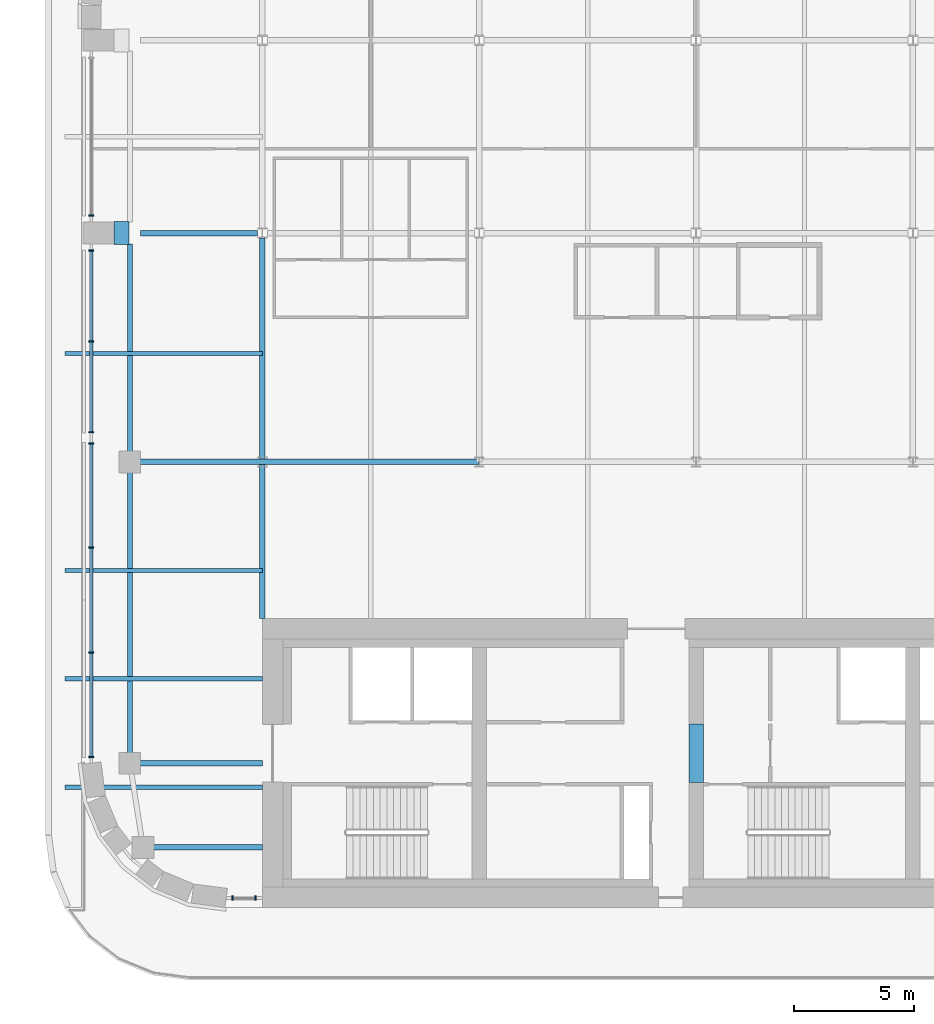
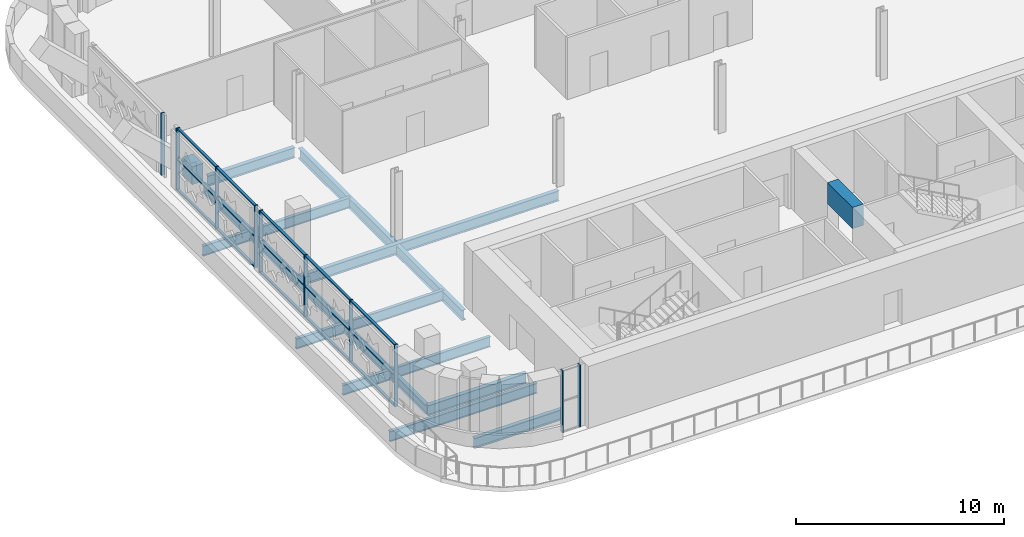
# One storey, part 3 of 23: 25 members, 13 beams, 4 elements without a shape of their own.
"""IFC4 building model written with IfcOpenShell, lengths in metres."""

from ifc_helpers import new_model, si_unit, direction, frame, origin, origin_2d, place, context, subcontext, project, spatial, rectangle, i_section, extrude, material, material_profile, profile_set, type_object, element, aggregate, save


model = new_model("IFC4")

# Units and contexts
model_context = context("Model", 3, precision=1e-05, world=origin(), true_north=direction((0.0, 1.0)))
body_context = subcontext(model_context, "Body", "Model", "MODEL_VIEW")
ifc_project = project(units=[si_unit("LENGTHUNIT", "METRE"), si_unit("AREAUNIT", "SQUARE_METRE"), si_unit("VOLUMEUNIT", "CUBIC_METRE"), si_unit("PLANEANGLEUNIT", "RADIAN"), si_unit("MASSUNIT", "GRAM", prefix="KILO")], contexts=[model_context])

# Site, building, storey
site_placement = place(None, origin())
site = spatial("IfcSite", under=ifc_project, at=site_placement, CompositionType="ELEMENT")
building_placement = place(site_placement, origin())
building = spatial("IfcBuilding", under=site, at=building_placement, Name="Zellij Exchange Tower", CompositionType="ELEMENT")
storey_placement = place(building_placement, frame((0.0, 0.0, 212.5)))
storey = spatial("IfcBuildingStorey", under=building, at=storey_placement, Name="L49", CompositionType="ELEMENT", Elevation=212.5)

# Beam
ifc_material_1 = material(Name="Concrete C60/75", Category="concrete")
ifc_material_profile_1 = material_profile(ifc_material_1, rectangle(XDim=0.60009765625, YDim=1.25, at=origin_2d()), Name="CORE-CB 600x1250 C60/75")
ifc_profile_set_1 = profile_set([ifc_material_profile_1], Name="Concrete C60/75")
beam_type_1 = type_object("IfcBeamType", Name="CORE-CB 600x1250 C60/75", PredefinedType="BEAM", material=ifc_profile_set_1)
beam_1_placement = place(storey_placement, frame((-9.0, -8.800048828125, 3.02490234375), z_axis=(0.0, 1.0, 0.0), x_axis=(-1.0, 0.0, 0.0)))
element("IfcBeam", 1, at=beam_1_placement, inside=storey, type_object=beam_type_1, Name="Core coupling beam x -9 L49", PredefinedType="BEAM", context=body_context, shape_type="SweptSolid", body=[
    extrude(rectangle(XDim=0.60009765625, YDim=1.25, at=origin_2d()), origin(), (0.0, 0.0, 1.0), 2.425048828125),
])

# Curtain wall, members
ifc_material_2 = material(Name="Aluminium frame, clear insulating glass", Category="aluminium")
curtain_wall_type = type_object("IfcCurtainWallType", Name="ENV-CW6 Sky-lobby glazing", PredefinedType="NOTDEFINED", material=ifc_material_2)
curtain_wall_1_placement = place(storey_placement, origin())
curtain_wall_1 = element("IfcCurtainWall", 2, at=curtain_wall_1_placement, inside=storey, type_object=curtain_wall_type, Name="cw.L49.00a", PredefinedType="NOTDEFINED")
ifc_material_3 = material(Name="Aluminium", Category="aluminium")
ifc_material_profile_2 = material_profile(ifc_material_3, rectangle(XDim=0.06005859375, YDim=0.199951171875, at=origin_2d()), Name="AL 60x200")
ifc_profile_set_2 = profile_set([ifc_material_profile_2], Name="Aluminium")
member_type_1 = type_object("IfcMemberType", Name="ENV-CW6M Mullion 60x200", PredefinedType="MULLION", material=ifc_profile_set_2)
member_1_placement = place(storey_placement, frame((-28.243896484375, -13.60009765625, 0.0), z_axis=(0.0, 0.0, 1.0), x_axis=(1.0, 0.0, 0.0)))
member_1 = element("IfcMember", 3, at=member_1_placement, type_object=member_type_1, Name="CW6 mullion 1", PredefinedType="MULLION", context=body_context, shape_type="SweptSolid", body=[
    extrude(rectangle(XDim=0.06005859375, YDim=0.199951171875, at=origin_2d()), origin(), (0.0, 0.0, 1.0), 3.64990234375),
])
member_2_placement = place(storey_placement, frame((-27.280029296875, -13.60009765625, 0.0), z_axis=(0.0, 0.0, 1.0), x_axis=(1.0, 0.0, 0.0)))
member_2 = element("IfcMember", 4, at=member_2_placement, type_object=member_type_1, Name="CW6 mullion 2", PredefinedType="MULLION", context=body_context, shape_type="SweptSolid", body=[
    extrude(rectangle(XDim=0.06005859375, YDim=0.199951171875, at=origin_2d()), origin(), (0.0, 0.0, 1.0), 3.64990234375),
])
aggregate(curtain_wall_1, [member_1, member_2])

# Curtain wall, member
curtain_wall_2_placement = place(storey_placement, origin())
curtain_wall_2 = element("IfcCurtainWall", 5, at=curtain_wall_2_placement, inside=storey, type_object=curtain_wall_type, Name="cw.L49.21b", PredefinedType="NOTDEFINED")
member_3_placement = place(storey_placement, frame((-34.10009765625, 14.72998046875, 0.0), z_axis=(0.0, 0.0, 1.0), x_axis=(0.0, -1.0, 0.0)))
member_3 = element("IfcMember", 6, at=member_3_placement, type_object=member_type_1, Name="CW6 mullion 2", PredefinedType="MULLION", context=body_context, shape_type="SweptSolid", body=[
    extrude(rectangle(XDim=0.06005859375, YDim=0.199951171875, at=origin_2d()), origin(), (0.0, 0.0, 1.0), 3.64990234375),
])
aggregate(curtain_wall_2, [member_3])

# Curtain wall, members
curtain_wall_3_placement = place(storey_placement, origin())
curtain_wall_3 = element("IfcCurtainWall", 7, at=curtain_wall_3_placement, inside=storey, type_object=curtain_wall_type, Name="cw.L49.21c", PredefinedType="NOTDEFINED")
member_4_placement = place(storey_placement, frame((-34.10009765625, 13.27001953125, 0.0), z_axis=(0.0, 0.0, 1.0), x_axis=(0.0, -1.0, 0.0)))
member_4 = element("IfcMember", 8, at=member_4_placement, type_object=member_type_1, Name="CW6 mullion 1", PredefinedType="MULLION", context=body_context, shape_type="SweptSolid", body=[
    extrude(rectangle(XDim=0.06005859375, YDim=0.199951171875, at=origin_2d()), origin(), (0.0, 0.0, 1.0), 3.64990234375),
])
member_5_placement = place(storey_placement, frame((-34.10009765625, 9.501953125, 0.0), z_axis=(0.0, 0.0, 1.0), x_axis=(0.0, -1.0, 0.0)))
member_5 = element("IfcMember", 9, at=member_5_placement, type_object=member_type_1, Name="CW6 mullion 2", PredefinedType="MULLION", context=body_context, shape_type="SweptSolid", body=[
    extrude(rectangle(XDim=0.06005859375, YDim=0.199951171875, at=origin_2d()), origin(), (0.0, 0.0, 1.0), 3.64990234375),
])
member_6_placement = place(storey_placement, frame((-34.10009765625, 5.73388671875, 0.0), z_axis=(0.0, 0.0, 1.0), x_axis=(0.0, -1.0, 0.0)))
member_6 = element("IfcMember", 10, at=member_6_placement, type_object=member_type_1, Name="CW6 mullion 3", PredefinedType="MULLION", context=body_context, shape_type="SweptSolid", body=[
    extrude(rectangle(XDim=0.06005859375, YDim=0.199951171875, at=origin_2d()), origin(), (0.0, 0.0, 1.0), 3.64990234375),
])

curtain_wall_4_placement = place(storey_placement, origin())
curtain_wall_4 = element("IfcCurtainWall", 11, at=curtain_wall_4_placement, inside=storey, type_object=curtain_wall_type, Name="cw.L49.21d", PredefinedType="NOTDEFINED")
member_7_placement = place(storey_placement, frame((-34.10009765625, 5.273681640625, 0.0), z_axis=(0.0, 0.0, 1.0), x_axis=(0.0, -1.0, 0.0)))
member_7 = element("IfcMember", 12, at=member_7_placement, type_object=member_type_1, Name="CW6 mullion 1", PredefinedType="MULLION", context=body_context, shape_type="SweptSolid", body=[
    extrude(rectangle(XDim=0.06005859375, YDim=0.199951171875, at=origin_2d()), origin(), (0.0, 0.0, 1.0), 3.64990234375),
])
member_8_placement = place(storey_placement, frame((-34.10009765625, 0.944580078125, 0.0), z_axis=(0.0, 0.0, 1.0), x_axis=(0.0, -1.0, 0.0)))
member_8 = element("IfcMember", 13, at=member_8_placement, type_object=member_type_1, Name="CW6 mullion 2", PredefinedType="MULLION", context=body_context, shape_type="SweptSolid", body=[
    extrude(rectangle(XDim=0.06005859375, YDim=0.199951171875, at=origin_2d()), origin(), (0.0, 0.0, 1.0), 3.64990234375),
])
member_9_placement = place(storey_placement, frame((-34.10009765625, -3.41455078125, 0.0), z_axis=(0.0, 0.0, 1.0), x_axis=(0.0, -1.0, 0.0)))
member_9 = element("IfcMember", 14, at=member_9_placement, type_object=member_type_1, Name="CW6 mullion 3", PredefinedType="MULLION", context=body_context, shape_type="SweptSolid", body=[
    extrude(rectangle(XDim=0.06005859375, YDim=0.199951171875, at=origin_2d()), origin(), (0.0, 0.0, 1.0), 3.64990234375),
])
member_10_placement = place(storey_placement, frame((-34.10009765625, -7.743896484375, 0.0), z_axis=(0.0, 0.0, 1.0), x_axis=(0.0, -1.0, 0.0)))
member_10 = element("IfcMember", 15, at=member_10_placement, type_object=member_type_1, Name="CW6 mullion 4", PredefinedType="MULLION", context=body_context, shape_type="SweptSolid", body=[
    extrude(rectangle(XDim=0.06005859375, YDim=0.199951171875, at=origin_2d()), origin(), (0.0, 0.0, 1.0), 3.64990234375),
])

# Member
ifc_material_profile_3 = material_profile(ifc_material_3, rectangle(XDim=0.139892578125, YDim=0.06005859375, at=origin_2d()), Name="AL 140x60")
ifc_profile_set_3 = profile_set([ifc_material_profile_3], Name="Aluminium")
member_type_2 = type_object("IfcMemberType", Name="ENV-CW6T Transom 140x60", PredefinedType="USERDEFINED", material=ifc_profile_set_3)
member_11_placement = place(storey_placement, frame((-34.10009765625, 13.239990234375, 0.030029296875), z_axis=(0.0, -1.0, 0.0), x_axis=(1.0, 0.0, 0.0)))
member_11 = element("IfcMember", 16, at=member_11_placement, type_object=member_type_2, Name="CW6 transom 1.1", ObjectType="TRANSOM", PredefinedType="USERDEFINED", context=body_context, shape_type="SweptSolid", body=[
    extrude(rectangle(XDim=0.139892578125, YDim=0.06005859375, at=origin_2d()), origin(), (0.0, 0.0, 1.0), 3.7080078125),
])

member_12_placement = place(storey_placement, frame((-34.10009765625, 13.239990234375, 1.824951171875), z_axis=(0.0, -1.0, 0.0), x_axis=(1.0, 0.0, 0.0)))
member_12 = element("IfcMember", 17, at=member_12_placement, type_object=member_type_2, Name="CW6 transom 1.2", ObjectType="TRANSOM", PredefinedType="USERDEFINED", context=body_context, shape_type="SweptSolid", body=[
    extrude(rectangle(XDim=0.139892578125, YDim=0.06005859375, at=origin_2d()), origin(), (0.0, 0.0, 1.0), 3.7080078125),
])

member_13_placement = place(storey_placement, frame((-34.10009765625, 13.239990234375, 3.6201171875), z_axis=(0.0, -1.0, 0.0), x_axis=(1.0, 0.0, 0.0)))
member_13 = element("IfcMember", 18, at=member_13_placement, type_object=member_type_2, Name="CW6 transom 1.3", ObjectType="TRANSOM", PredefinedType="USERDEFINED", context=body_context, shape_type="SweptSolid", body=[
    extrude(rectangle(XDim=0.139892578125, YDim=0.06005859375, at=origin_2d()), origin(), (0.0, 0.0, 1.0), 3.7080078125),
])

member_14_placement = place(storey_placement, frame((-34.10009765625, 9.471923828125, 0.030029296875), z_axis=(0.0, -1.0, 0.0), x_axis=(1.0, 0.0, 0.0)))
member_14 = element("IfcMember", 19, at=member_14_placement, type_object=member_type_2, Name="CW6 transom 2.1", ObjectType="TRANSOM", PredefinedType="USERDEFINED", context=body_context, shape_type="SweptSolid", body=[
    extrude(rectangle(XDim=0.139892578125, YDim=0.06005859375, at=origin_2d()), origin(), (0.0, 0.0, 1.0), 3.7080078125),
])

member_15_placement = place(storey_placement, frame((-34.10009765625, 9.471923828125, 1.824951171875), z_axis=(0.0, -1.0, 0.0), x_axis=(1.0, 0.0, 0.0)))
member_15 = element("IfcMember", 20, at=member_15_placement, type_object=member_type_2, Name="CW6 transom 2.2", ObjectType="TRANSOM", PredefinedType="USERDEFINED", context=body_context, shape_type="SweptSolid", body=[
    extrude(rectangle(XDim=0.139892578125, YDim=0.06005859375, at=origin_2d()), origin(), (0.0, 0.0, 1.0), 3.7080078125),
])

member_16_placement = place(storey_placement, frame((-34.10009765625, 9.471923828125, 3.6201171875), z_axis=(0.0, -1.0, 0.0), x_axis=(1.0, 0.0, 0.0)))
member_16 = element("IfcMember", 21, at=member_16_placement, type_object=member_type_2, Name="CW6 transom 2.3", ObjectType="TRANSOM", PredefinedType="USERDEFINED", context=body_context, shape_type="SweptSolid", body=[
    extrude(rectangle(XDim=0.139892578125, YDim=0.06005859375, at=origin_2d()), origin(), (0.0, 0.0, 1.0), 3.7080078125),
])

aggregate(curtain_wall_3, [member_4, member_5, member_6, member_11, member_12, member_13, member_14, member_15, member_16])

member_17_placement = place(storey_placement, frame((-34.10009765625, 5.243896484375, 0.030029296875), z_axis=(0.0, -1.0, 0.0), x_axis=(1.0, 0.0, 0.0)))
member_17 = element("IfcMember", 22, at=member_17_placement, type_object=member_type_2, Name="CW6 transom 1.1", ObjectType="TRANSOM", PredefinedType="USERDEFINED", context=body_context, shape_type="SweptSolid", body=[
    extrude(rectangle(XDim=0.139892578125, YDim=0.06005859375, at=origin_2d()), origin(), (0.0, 0.0, 1.0), 4.269287109375),
])

member_18_placement = place(storey_placement, frame((-34.10009765625, 5.243896484375, 1.824951171875), z_axis=(0.0, -1.0, 0.0), x_axis=(1.0, 0.0, 0.0)))
member_18 = element("IfcMember", 23, at=member_18_placement, type_object=member_type_2, Name="CW6 transom 1.2", ObjectType="TRANSOM", PredefinedType="USERDEFINED", context=body_context, shape_type="SweptSolid", body=[
    extrude(rectangle(XDim=0.139892578125, YDim=0.06005859375, at=origin_2d()), origin(), (0.0, 0.0, 1.0), 4.269287109375),
])

member_19_placement = place(storey_placement, frame((-34.10009765625, 5.243896484375, 3.6201171875), z_axis=(0.0, -1.0, 0.0), x_axis=(1.0, 0.0, 0.0)))
member_19 = element("IfcMember", 24, at=member_19_placement, type_object=member_type_2, Name="CW6 transom 1.3", ObjectType="TRANSOM", PredefinedType="USERDEFINED", context=body_context, shape_type="SweptSolid", body=[
    extrude(rectangle(XDim=0.139892578125, YDim=0.06005859375, at=origin_2d()), origin(), (0.0, 0.0, 1.0), 4.269287109375),
])

member_20_placement = place(storey_placement, frame((-34.10009765625, 0.91455078125, 0.030029296875), z_axis=(0.0, -1.0, 0.0), x_axis=(1.0, 0.0, 0.0)))
member_20 = element("IfcMember", 25, at=member_20_placement, type_object=member_type_2, Name="CW6 transom 2.1", ObjectType="TRANSOM", PredefinedType="USERDEFINED", context=body_context, shape_type="SweptSolid", body=[
    extrude(rectangle(XDim=0.139892578125, YDim=0.06005859375, at=origin_2d()), origin(), (0.0, 0.0, 1.0), 4.299072265625),
])

member_21_placement = place(storey_placement, frame((-34.10009765625, 0.91455078125, 1.824951171875), z_axis=(0.0, -1.0, 0.0), x_axis=(1.0, 0.0, 0.0)))
member_21 = element("IfcMember", 26, at=member_21_placement, type_object=member_type_2, Name="CW6 transom 2.2", ObjectType="TRANSOM", PredefinedType="USERDEFINED", context=body_context, shape_type="SweptSolid", body=[
    extrude(rectangle(XDim=0.139892578125, YDim=0.06005859375, at=origin_2d()), origin(), (0.0, 0.0, 1.0), 4.299072265625),
])

member_22_placement = place(storey_placement, frame((-34.10009765625, 0.91455078125, 3.6201171875), z_axis=(0.0, -1.0, 0.0), x_axis=(1.0, 0.0, 0.0)))
member_22 = element("IfcMember", 27, at=member_22_placement, type_object=member_type_2, Name="CW6 transom 2.3", ObjectType="TRANSOM", PredefinedType="USERDEFINED", context=body_context, shape_type="SweptSolid", body=[
    extrude(rectangle(XDim=0.139892578125, YDim=0.06005859375, at=origin_2d()), origin(), (0.0, 0.0, 1.0), 4.299072265625),
])

member_23_placement = place(storey_placement, frame((-34.10009765625, -3.444580078125, 0.030029296875), z_axis=(0.0, -1.0, 0.0), x_axis=(1.0, 0.0, 0.0)))
member_23 = element("IfcMember", 28, at=member_23_placement, type_object=member_type_2, Name="CW6 transom 3.1", ObjectType="TRANSOM", PredefinedType="USERDEFINED", context=body_context, shape_type="SweptSolid", body=[
    extrude(rectangle(XDim=0.139892578125, YDim=0.06005859375, at=origin_2d()), origin(), (0.0, 0.0, 1.0), 4.269287109375),
])

member_24_placement = place(storey_placement, frame((-34.10009765625, -3.444580078125, 1.824951171875), z_axis=(0.0, -1.0, 0.0), x_axis=(1.0, 0.0, 0.0)))
member_24 = element("IfcMember", 29, at=member_24_placement, type_object=member_type_2, Name="CW6 transom 3.2", ObjectType="TRANSOM", PredefinedType="USERDEFINED", context=body_context, shape_type="SweptSolid", body=[
    extrude(rectangle(XDim=0.139892578125, YDim=0.06005859375, at=origin_2d()), origin(), (0.0, 0.0, 1.0), 4.269287109375),
])

member_25_placement = place(storey_placement, frame((-34.10009765625, -3.444580078125, 3.6201171875), z_axis=(0.0, -1.0, 0.0), x_axis=(1.0, 0.0, 0.0)))
member_25 = element("IfcMember", 30, at=member_25_placement, type_object=member_type_2, Name="CW6 transom 3.3", ObjectType="TRANSOM", PredefinedType="USERDEFINED", context=body_context, shape_type="SweptSolid", body=[
    extrude(rectangle(XDim=0.139892578125, YDim=0.06005859375, at=origin_2d()), origin(), (0.0, 0.0, 1.0), 4.269287109375),
])

aggregate(curtain_wall_4, [member_7, member_8, member_9, member_10, member_17, member_18, member_19, member_20, member_21, member_22, member_23, member_24, member_25])

# Beams
ifc_material_4 = material(Name="Structural steel ASTM A992 Gr 50", Category="steel")
ifc_material_profile_4 = material_profile(ifc_material_4, i_section(OverallWidth=0.177978515625, OverallDepth=0.599365234375, WebThickness=0.010009765625, FlangeThickness=0.012939453125, at=origin_2d()), Name="W24x55")
ifc_profile_set_4 = profile_set([ifc_material_profile_4], Name="Structural steel ASTM A992 Gr 50")
beam_type_2 = type_object("IfcBeamType", Name="STR-BEAM W24x55", PredefinedType="BEAM", material=ifc_profile_set_4)
for number, where, z_axis, x_axis, name in (
    (31, (-35.199951171875, -9.0, -0.599609375), (1.0, 0.0, 0.0), (0.0, 1.0, 0.0), "B4"),
    (32, (-35.199951171875, -4.5, -0.599609375), (1.0, 0.0, 0.0), (0.0, 1.0, 0.0), "B4"),
    (33, (-35.199951171875, 0.0, -0.599609375), (1.0, 0.0, 0.0), (0.0, 1.0, 0.0), "B4"),
    (34, (-35.199951171875, 9.0, -0.599609375), (1.0, 0.0, 0.0), (0.0, 1.0, 0.0), "B4"),
):
    element("IfcBeam", number, at=place(storey_placement, frame(where, z_axis=z_axis, x_axis=x_axis)), inside=storey, type_object=beam_type_2, Name=name, PredefinedType="BEAM", context=body_context, shape_type="SweptSolid", body=[
        extrude(i_section(OverallWidth=0.177978515625, OverallDepth=0.599365234375, WebThickness=0.010009765625, FlangeThickness=0.012939453125, at=origin_2d()), origin(), (0.0, 0.0, 1.0), 8.199951171875),
    ])
ifc_material_profile_5 = material_profile(ifc_material_4, i_section(OverallWidth=0.209228515625, OverallDepth=0.533447265625, WebThickness=0.01025390625, FlangeThickness=0.015625, at=origin_2d()), Name="W21x62")
ifc_profile_set_5 = profile_set([ifc_material_profile_5], Name="Structural steel ASTM A992 Gr 50")
beam_type_3 = type_object("IfcBeamType", Name="STR-EDGE GIRDER W21x62", PredefinedType="BEAM", material=ifc_profile_set_5)
beam_2_placement = place(storey_placement, frame((-32.5, -8.0, -0.566650390625), z_axis=(0.0, 1.0, 0.0), x_axis=(-1.0, 0.0, 0.0)))
element("IfcBeam", 35, at=beam_2_placement, inside=storey, type_object=beam_type_3, Name="EB3", PredefinedType="BEAM", context=body_context, shape_type="SweptSolid", body=[
    extrude(i_section(OverallWidth=0.209228515625, OverallDepth=0.533447265625, WebThickness=0.01025390625, FlangeThickness=0.015625, at=origin_2d()), origin(), (0.0, 0.0, 1.0), 12.5),
])
beam_3_placement = place(storey_placement, frame((-32.5, 4.5, -0.566650390625), z_axis=(0.0, 1.0, 0.0), x_axis=(-1.0, 0.0, 0.0)))
element("IfcBeam", 36, at=beam_3_placement, inside=storey, type_object=beam_type_3, Name="EB3", PredefinedType="BEAM", context=body_context, shape_type="SweptSolid", body=[
    extrude(i_section(OverallWidth=0.209228515625, OverallDepth=0.533447265625, WebThickness=0.01025390625, FlangeThickness=0.015625, at=origin_2d()), origin(), (0.0, 0.0, 1.0), 9.050048828125),
])
ifc_material_profile_6 = material_profile(ifc_material_1, rectangle(XDim=0.949951171875, YDim=1.050048828125, at=origin_2d()), Name="STR-END BLOCK KNUCKLE RC950x1050 C60/75")
ifc_profile_set_6 = profile_set([ifc_material_profile_6], Name="Concrete C60/75")
beam_type_4 = type_object("IfcBeamType", Name="STR-END BLOCK KNUCKLE RC950x1050 C60/75", PredefinedType="BEAM", material=ifc_profile_set_6)
beam_4_placement = place(storey_placement, frame((-32.539794921875, 14.0, 0.324951171875), z_axis=(-1.0, 0.0, 0.0), x_axis=(0.0, -1.0, 0.0)))
element("IfcBeam", 37, at=beam_4_placement, inside=storey, type_object=beam_type_4, Name="EK1", PredefinedType="BEAM", context=body_context, shape_type="SweptSolid", body=[
    extrude(rectangle(XDim=0.949951171875, YDim=1.050048828125, at=origin_2d()), origin(), (0.0, 0.0, 1.0), 0.61669921875),
])
ifc_material_profile_7 = material_profile(ifc_material_4, i_section(OverallWidth=0.228271484375, OverallDepth=0.607177734375, WebThickness=0.01123046875, FlangeThickness=0.017333984375, at=origin_2d()), Name="W24x76")
ifc_profile_set_7 = profile_set([ifc_material_profile_7], Name="Structural steel ASTM A992 Gr 50")
beam_type_5 = type_object("IfcBeamType", Name="STR-GIRDER W24x76", PredefinedType="BEAM", material=ifc_profile_set_7)
beam_5_placement = place(storey_placement, frame((-31.949951171875, -11.5, -0.603515625), z_axis=(1.0, 0.0, 0.0), x_axis=(0.0, 1.0, 0.0)))
element("IfcBeam", 38, at=beam_5_placement, inside=storey, type_object=beam_type_5, Name="G2", PredefinedType="BEAM", context=body_context, shape_type="SweptSolid", body=[
    extrude(i_section(OverallWidth=0.228271484375, OverallDepth=0.607177734375, WebThickness=0.01123046875, FlangeThickness=0.017333984375, at=origin_2d()), origin(), (0.0, 0.0, 1.0), 4.949951171875),
])
beam_6_placement = place(storey_placement, frame((-32.5, -8.0, -0.603515625), z_axis=(1.0, 0.0, 0.0), x_axis=(0.0, 1.0, 0.0)))
element("IfcBeam", 39, at=beam_6_placement, inside=storey, type_object=beam_type_5, Name="G2", PredefinedType="BEAM", context=body_context, shape_type="SweptSolid", body=[
    extrude(i_section(OverallWidth=0.228271484375, OverallDepth=0.607177734375, WebThickness=0.01123046875, FlangeThickness=0.017333984375, at=origin_2d()), origin(), (0.0, 0.0, 1.0), 5.5),
])
beam_7_placement = place(storey_placement, frame((-32.5, 4.5, -0.603515625), z_axis=(1.0, 0.0, 0.0), x_axis=(0.0, 1.0, 0.0)))
element("IfcBeam", 40, at=beam_7_placement, inside=storey, type_object=beam_type_5, Name="G2", PredefinedType="BEAM", context=body_context, shape_type="SweptSolid", body=[
    extrude(i_section(OverallWidth=0.228271484375, OverallDepth=0.607177734375, WebThickness=0.01123046875, FlangeThickness=0.017333984375, at=origin_2d()), origin(), (0.0, 0.0, 1.0), 14.5),
])
beam_8_placement = place(storey_placement, frame((-32.050048828125, 14.0, -0.603515625), z_axis=(1.0, 0.0, 0.0), x_axis=(0.0, 1.0, 0.0)))
element("IfcBeam", 41, at=beam_8_placement, inside=storey, type_object=beam_type_5, Name="G2", PredefinedType="BEAM", context=body_context, shape_type="SweptSolid", body=[
    extrude(i_section(OverallWidth=0.228271484375, OverallDepth=0.607177734375, WebThickness=0.01123046875, FlangeThickness=0.017333984375, at=origin_2d()), origin(), (0.0, 0.0, 1.0), 4.845458984375),
])
beam_9_placement = place(storey_placement, frame((-27.0, -2.0, -0.603515625), z_axis=(0.0, 1.0, 0.0), x_axis=(-1.0, 0.0, 0.0)))
element("IfcBeam", 42, at=beam_9_placement, inside=storey, type_object=beam_type_5, Name="G2", PredefinedType="BEAM", context=body_context, shape_type="SweptSolid", body=[
    extrude(i_section(OverallWidth=0.228271484375, OverallDepth=0.607177734375, WebThickness=0.01123046875, FlangeThickness=0.017333984375, at=origin_2d()), origin(), (0.0, 0.0, 1.0), 15.787841796875),
])

save(model, "model.ifc")
